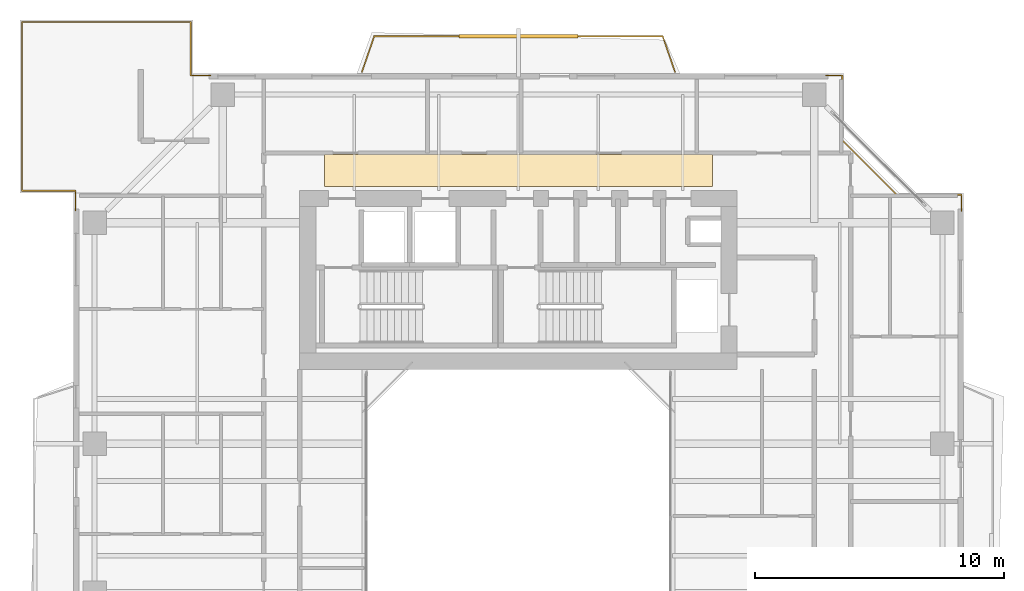
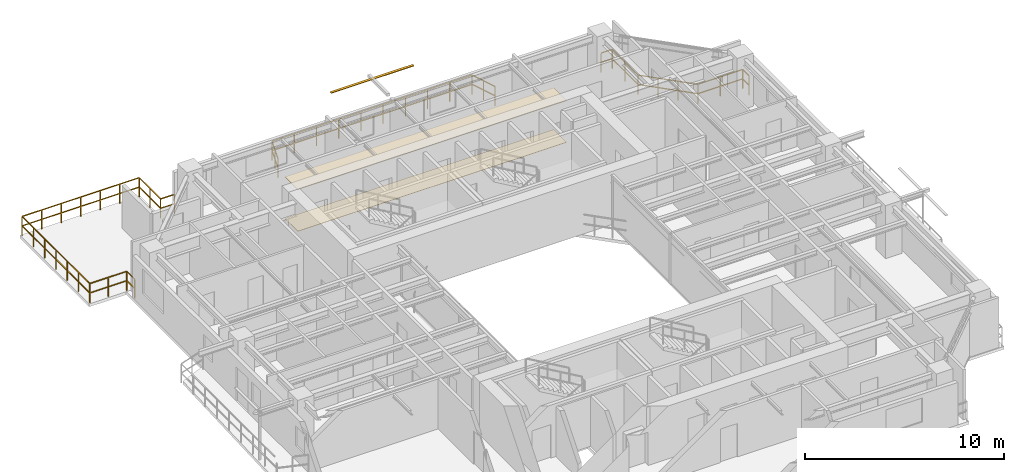
# One storey, part 17 of 17: 3 railings, 2 coverings, 1 shading device.
"""IFC4 building model written with IfcOpenShell, lengths in metres."""

from ifc_helpers import new_model, si_unit, direction, frame, origin, origin_2d, place, context, subcontext, project, spatial, polyline, rectangle, outline, extrude, source, transform, mapped, material, layer, layer_set, material_profile, profile_set, type_object, element, save


model = new_model("IFC4")

# Units and contexts
model_context = context("Model", 3, precision=1e-05, world=origin(), true_north=direction((0.0, 1.0)))
body_context = subcontext(model_context, "Body", "Model", "MODEL_VIEW")
ifc_project = project(units=[si_unit("LENGTHUNIT", "METRE"), si_unit("AREAUNIT", "SQUARE_METRE"), si_unit("VOLUMEUNIT", "CUBIC_METRE"), si_unit("PLANEANGLEUNIT", "RADIAN"), si_unit("MASSUNIT", "GRAM", prefix="KILO"), si_unit("THERMODYNAMICTEMPERATUREUNIT", "KELVIN"), si_unit("POWERUNIT", "WATT")], contexts=[model_context])

# Site, building, storey
site_placement = place(None, origin())
site = spatial("IfcSite", under=ifc_project, at=site_placement, CompositionType="ELEMENT")
building_placement = place(site_placement, origin())
building = spatial("IfcBuilding", under=site, at=building_placement, Name="Qiaomeng Ring Towers", CompositionType="ELEMENT")
storey_placement = place(building_placement, frame((0.0, 0.0, 143.75)))
storey = spatial("IfcBuildingStorey", under=building, at=storey_placement, Name="L41", CompositionType="ELEMENT", Elevation=143.75)

# Coverings
ifc_material_1 = material(Name="Moisture-resistant gypsum ceiling board", Category="gypsum")
ifc_layer_1 = layer(ifc_material_1, 0.030029296875, Name="Moisture-resistant gypsum ceiling board")
ifc_layer_set_1 = layer_set([ifc_layer_1], Name="Moisture-resistant gypsum ceiling board")
covering_type_1 = type_object("IfcCoveringType", Name="ARC-COV-CEIL2", PredefinedType="CEILING", material=ifc_layer_set_1)
covering_1_placement = place(storey_placement, frame((0.0, 0.0, 2.550048828125)))
element("IfcCovering", 1, at=covering_1_placement, inside=storey, type_object=covering_type_1, Name="L41 Corridor Acoustic Ceiling", PredefinedType="CEILING", context=body_context, shape_type="SweptSolid", body=[
    extrude(outline(polyline([(11.199951171875, 36.35009765625), (11.199951171875, 37.64990234375), (26.800048828125, 37.64990234375), (26.800048828125, 36.35009765625), (11.199951171875, 36.35009765625)])), origin(), (0.0, 0.0, 1.0), 0.02490234375),
])
ifc_material_2 = material(Name="Vitrified porcelain floor tile", Category="ceramic")
ifc_layer_2 = layer(ifc_material_2, 0.02001953125, Name="Vitrified porcelain floor tile")
ifc_layer_set_2 = layer_set([ifc_layer_2], Name="Vitrified porcelain floor tile")
covering_type_2 = type_object("IfcCoveringType", Name="ARC-COV-FLR1", PredefinedType="FLOORING", material=ifc_layer_set_2)
covering_2_placement = place(storey_placement, origin())
element("IfcCovering", 2, at=covering_2_placement, inside=storey, type_object=covering_type_2, Name="L41 Corridor Stone Flooring", PredefinedType="FLOORING", context=body_context, shape_type="SweptSolid", body=[
    extrude(outline(polyline([(11.199951171875, 36.35009765625), (11.199951171875, 37.64990234375), (26.800048828125, 37.64990234375), (26.800048828125, 36.35009765625), (11.199951171875, 36.35009765625)])), origin(), (0.0, 0.0, 1.0), 0.02001953125),
])

# Railings
ifc_material_3 = material(Name="Low-E pale-green laminated safety glass", Category="glass")
railing_type = type_object("IfcRailingType", Name="ARC-RL-BAL1", PredefinedType="BALUSTRADE", material=ifc_material_3)
railing_1_placement = place(storey_placement, frame((36.820068359375, 35.3701171875, 0.0)))
element("IfcRailing", 3, at=railing_1_placement, inside=storey, type_object=railing_type, Name="L41 Balustrade ARC-BAL-NOTCH1-L41-NE", PredefinedType="BALUSTRADE", context=body_context, shape_type="SweptSolid", body=[
    extrude(rectangle(XDim=0.048095703125, YDim=0.048095703125, at=origin_2d()), frame((0.0, 0.0, 1.17578125), z_axis=(0.0, 1.0, 0.0), x_axis=(-1.0, 0.0, 0.0)), (0.0, 0.0, 1.0), 0.64990234375),
    extrude(rectangle(XDim=0.048095703125, YDim=0.048095703125, at=origin_2d()), frame((0.0, 0.0, 0.60009765625), z_axis=(0.0, 1.0, 0.0), x_axis=(-1.0, 0.0, 0.0)), (0.0, 0.0, 1.0), 0.64990234375),
    extrude(rectangle(XDim=0.048095703125, YDim=0.048095703125, at=origin_2d()), frame((0.0, 0.64990234375, 1.17578125), z_axis=(-1.0, 0.0, 0.0), x_axis=(0.0, -1.0, 0.0)), (0.0, 0.0, 1.0), 2.60009765625),
    extrude(rectangle(XDim=0.048095703125, YDim=0.048095703125, at=origin_2d()), frame((0.0, 0.64990234375, 0.60009765625), z_axis=(-1.0, 0.0, 0.0), x_axis=(0.0, -1.0, 0.0)), (0.0, 0.0, 1.0), 2.60009765625),
    extrude(rectangle(XDim=0.048095703125, YDim=0.048095703125, at=origin_2d()), frame((-2.60009765625, 0.64990234375, 1.17578125), z_axis=(-0.707106781187, 0.707106781187, 0.0), x_axis=(-0.707106781187, -0.707106781187, 0.0)), (0.0, 0.0, 1.0), 3.111083984375),
    extrude(rectangle(XDim=0.048095703125, YDim=0.048095703125, at=origin_2d()), frame((-2.60009765625, 0.64990234375, 0.60009765625), z_axis=(-0.707106781187, 0.707106781187, 0.0), x_axis=(-0.707106781187, -0.707106781187, 0.0)), (0.0, 0.0, 1.0), 3.111083984375),
    extrude(rectangle(XDim=0.048095703125, YDim=0.048095703125, at=origin_2d()), frame((-4.800048828125, 2.849853515625, 1.17578125), z_axis=(0.0, 1.0, 0.0), x_axis=(-1.0, 0.0, 0.0)), (0.0, 0.0, 1.0), 2.60009765625),
    extrude(rectangle(XDim=0.048095703125, YDim=0.048095703125, at=origin_2d()), frame((-4.800048828125, 2.849853515625, 0.60009765625), z_axis=(0.0, 1.0, 0.0), x_axis=(-1.0, 0.0, 0.0)), (0.0, 0.0, 1.0), 2.60009765625),
    extrude(rectangle(XDim=0.048095703125, YDim=0.048095703125, at=origin_2d()), frame((-4.800048828125, 5.449951171875, 1.17578125), z_axis=(-1.0, 0.0, 0.0), x_axis=(0.0, -1.0, 0.0)), (0.0, 0.0, 1.0), 0.64990234375),
    extrude(rectangle(XDim=0.048095703125, YDim=0.048095703125, at=origin_2d()), frame((-4.800048828125, 5.449951171875, 0.60009765625), z_axis=(-1.0, 0.0, 0.0), x_axis=(0.0, -1.0, 0.0)), (0.0, 0.0, 1.0), 0.64990234375),
    extrude(rectangle(XDim=0.0419921875, YDim=0.0419921875, at=origin_2d()), origin(), (0.0, 0.0, 1.0), 1.15185546875),
    extrude(rectangle(XDim=0.0419921875, YDim=0.0419921875, at=origin_2d()), frame((0.0, 0.64990234375, 0.0)), (0.0, 0.0, 1.0), 1.15185546875),
    extrude(rectangle(XDim=0.0419921875, YDim=0.0419921875, at=origin_2d()), frame((-1.300048828125, 0.64990234375, 0.0)), (0.0, 0.0, 1.0), 1.15185546875),
    extrude(rectangle(XDim=0.0419921875, YDim=0.0419921875, at=origin_2d()), frame((-2.60009765625, 0.64990234375, 0.0)), (0.0, 0.0, 1.0), 1.15185546875),
    extrude(rectangle(XDim=0.0419921875, YDim=0.0419921875, at=origin_2d()), frame((-3.33349609375, 1.38330078125, 0.0)), (0.0, 0.0, 1.0), 1.15185546875),
    extrude(rectangle(XDim=0.0419921875, YDim=0.0419921875, at=origin_2d()), frame((-4.066650390625, 2.116455078125, 0.0)), (0.0, 0.0, 1.0), 1.15185546875),
    extrude(rectangle(XDim=0.0419921875, YDim=0.0419921875, at=origin_2d()), frame((-4.800048828125, 2.849853515625, 0.0)), (0.0, 0.0, 1.0), 1.15185546875),
    extrude(rectangle(XDim=0.0419921875, YDim=0.0419921875, at=origin_2d()), frame((-4.800048828125, 4.14990234375, 0.0)), (0.0, 0.0, 1.0), 1.15185546875),
    extrude(rectangle(XDim=0.0419921875, YDim=0.0419921875, at=origin_2d()), frame((-4.800048828125, 5.449951171875, 0.0)), (0.0, 0.0, 1.0), 1.15185546875),
    extrude(rectangle(XDim=0.0419921875, YDim=0.0419921875, at=origin_2d()), frame((-5.449951171875, 5.449951171875, 0.0)), (0.0, 0.0, 1.0), 1.15185546875),
])
railing_2_placement = place(storey_placement, frame((6.6201171875, 40.820068359375, 0.0)))
element("IfcRailing", 4, at=railing_2_placement, inside=storey, type_object=railing_type, Name="L41 Balustrade ARC-BAL-L41-SPIRAL-NW", PredefinedType="BALUSTRADE", context=body_context, shape_type="SweptSolid", body=[
    extrude(rectangle(XDim=0.048095703125, YDim=0.048095703125, at=origin_2d()), frame((0.0, 0.0, 1.17578125), z_axis=(-1.0, 0.0, 0.0), x_axis=(0.0, -1.0, 0.0)), (0.0, 0.0, 1.0), 0.800048828125),
    extrude(rectangle(XDim=0.048095703125, YDim=0.048095703125, at=origin_2d()), frame((0.0, 0.0, 0.60009765625), z_axis=(-1.0, 0.0, 0.0), x_axis=(0.0, -1.0, 0.0)), (0.0, 0.0, 1.0), 0.800048828125),
    extrude(rectangle(XDim=0.048095703125, YDim=0.048095703125, at=origin_2d()), frame((-0.800048828125, 0.0, 1.17578125), z_axis=(0.0, 1.0, 0.0), x_axis=(-1.0, 0.0, 0.0)), (0.0, 0.0, 1.0), 2.14990234375),
    extrude(rectangle(XDim=0.048095703125, YDim=0.048095703125, at=origin_2d()), frame((-0.800048828125, 0.0, 0.60009765625), z_axis=(0.0, 1.0, 0.0), x_axis=(-1.0, 0.0, 0.0)), (0.0, 0.0, 1.0), 2.14990234375),
    extrude(rectangle(XDim=0.048095703125, YDim=0.048095703125, at=origin_2d()), frame((-0.800048828125, 2.14990234375, 1.17578125), z_axis=(-1.0, 0.0, 0.0), x_axis=(0.0, -1.0, 0.0)), (0.0, 0.0, 1.0), 6.7900390625),
    extrude(rectangle(XDim=0.048095703125, YDim=0.048095703125, at=origin_2d()), frame((-0.800048828125, 2.14990234375, 0.60009765625), z_axis=(-1.0, 0.0, 0.0), x_axis=(0.0, -1.0, 0.0)), (0.0, 0.0, 1.0), 6.7900390625),
    extrude(rectangle(XDim=0.048095703125, YDim=0.048095703125, at=origin_2d()), frame((-7.590087890625, 2.14990234375, 1.17578125), z_axis=(0.0, -1.0, 0.0), x_axis=(1.0, 0.0, 0.0)), (0.0, 0.0, 1.0), 6.7900390625),
    extrude(rectangle(XDim=0.048095703125, YDim=0.048095703125, at=origin_2d()), frame((-7.590087890625, 2.14990234375, 0.60009765625), z_axis=(0.0, -1.0, 0.0), x_axis=(1.0, 0.0, 0.0)), (0.0, 0.0, 1.0), 6.7900390625),
    extrude(rectangle(XDim=0.048095703125, YDim=0.048095703125, at=origin_2d()), frame((-7.590087890625, -4.64013671875, 1.17578125), z_axis=(1.0, 0.0, 0.0), x_axis=(0.0, 1.0, 0.0)), (0.0, 0.0, 1.0), 2.14990234375),
    extrude(rectangle(XDim=0.048095703125, YDim=0.048095703125, at=origin_2d()), frame((-7.590087890625, -4.64013671875, 0.60009765625), z_axis=(1.0, 0.0, 0.0), x_axis=(0.0, 1.0, 0.0)), (0.0, 0.0, 1.0), 2.14990234375),
    extrude(rectangle(XDim=0.048095703125, YDim=0.048095703125, at=origin_2d()), frame((-5.440185546875, -4.64013671875, 1.17578125), z_axis=(0.0, -1.0, 0.0), x_axis=(1.0, 0.0, 0.0)), (0.0, 0.0, 1.0), 0.800048828125),
    extrude(rectangle(XDim=0.048095703125, YDim=0.048095703125, at=origin_2d()), frame((-5.440185546875, -4.64013671875, 0.60009765625), z_axis=(0.0, -1.0, 0.0), x_axis=(1.0, 0.0, 0.0)), (0.0, 0.0, 1.0), 0.800048828125),
    extrude(rectangle(XDim=0.0419921875, YDim=0.0419921875, at=origin_2d()), origin(), (0.0, 0.0, 1.0), 1.15185546875),
    extrude(rectangle(XDim=0.0419921875, YDim=0.0419921875, at=origin_2d()), frame((-0.800048828125, 0.0, 0.0)), (0.0, 0.0, 1.0), 1.15185546875),
    extrude(rectangle(XDim=0.0419921875, YDim=0.0419921875, at=origin_2d()), frame((-0.800048828125, 1.074951171875, 0.0)), (0.0, 0.0, 1.0), 1.15185546875),
    extrude(rectangle(XDim=0.0419921875, YDim=0.0419921875, at=origin_2d()), frame((-0.800048828125, 2.14990234375, 0.0)), (0.0, 0.0, 1.0), 1.15185546875),
    extrude(rectangle(XDim=0.0419921875, YDim=0.0419921875, at=origin_2d()), frame((-1.931640625, 2.14990234375, 0.0)), (0.0, 0.0, 1.0), 1.15185546875),
    extrude(rectangle(XDim=0.0419921875, YDim=0.0419921875, at=origin_2d()), frame((-3.0634765625, 2.14990234375, 0.0)), (0.0, 0.0, 1.0), 1.15185546875),
    extrude(rectangle(XDim=0.0419921875, YDim=0.0419921875, at=origin_2d()), frame((-4.195068359375, 2.14990234375, 0.0)), (0.0, 0.0, 1.0), 1.15185546875),
    extrude(rectangle(XDim=0.0419921875, YDim=0.0419921875, at=origin_2d()), frame((-5.32666015625, 2.14990234375, 0.0)), (0.0, 0.0, 1.0), 1.15185546875),
    extrude(rectangle(XDim=0.0419921875, YDim=0.0419921875, at=origin_2d()), frame((-6.45849609375, 2.14990234375, 0.0)), (0.0, 0.0, 1.0), 1.15185546875),
    extrude(rectangle(XDim=0.0419921875, YDim=0.0419921875, at=origin_2d()), frame((-7.590087890625, 2.14990234375, 0.0)), (0.0, 0.0, 1.0), 1.15185546875),
    extrude(rectangle(XDim=0.0419921875, YDim=0.0419921875, at=origin_2d()), frame((-7.590087890625, 1.018310546875, 0.0)), (0.0, 0.0, 1.0), 1.15185546875),
    extrude(rectangle(XDim=0.0419921875, YDim=0.0419921875, at=origin_2d()), frame((-7.590087890625, -0.113525390625, 0.0)), (0.0, 0.0, 1.0), 1.15185546875),
    extrude(rectangle(XDim=0.0419921875, YDim=0.0419921875, at=origin_2d()), frame((-7.590087890625, -1.2451171875, 0.0)), (0.0, 0.0, 1.0), 1.15185546875),
    extrude(rectangle(XDim=0.0419921875, YDim=0.0419921875, at=origin_2d()), frame((-7.590087890625, -2.376708984375, 0.0)), (0.0, 0.0, 1.0), 1.15185546875),
    extrude(rectangle(XDim=0.0419921875, YDim=0.0419921875, at=origin_2d()), frame((-7.590087890625, -3.508544921875, 0.0)), (0.0, 0.0, 1.0), 1.15185546875),
    extrude(rectangle(XDim=0.0419921875, YDim=0.0419921875, at=origin_2d()), frame((-7.590087890625, -4.64013671875, 0.0)), (0.0, 0.0, 1.0), 1.15185546875),
    extrude(rectangle(XDim=0.0419921875, YDim=0.0419921875, at=origin_2d()), frame((-6.51513671875, -4.64013671875, 0.0)), (0.0, 0.0, 1.0), 1.15185546875),
    extrude(rectangle(XDim=0.0419921875, YDim=0.0419921875, at=origin_2d()), frame((-5.440185546875, -4.64013671875, 0.0)), (0.0, 0.0, 1.0), 1.15185546875),
    extrude(rectangle(XDim=0.0419921875, YDim=0.0419921875, at=origin_2d()), frame((-5.440185546875, -5.440185546875, 0.0)), (0.0, 0.0, 1.0), 1.15185546875),
])
railing_3_placement = place(storey_placement, frame((12.699951171875, 40.949951171875, 0.0)))
element("IfcRailing", 5, at=railing_3_placement, inside=storey, type_object=railing_type, Name="L41 Balustrade ARC-BAL-L41-T1-N", PredefinedType="BALUSTRADE", context=body_context, shape_type="SweptSolid", body=[
    extrude(rectangle(XDim=0.048095703125, YDim=0.048095703125, at=origin_2d()), frame((0.0, 0.0, 1.17578125), z_axis=(0.326000494605, 0.945369598368, 0.0), x_axis=(-0.945369598368, 0.326000494605, 0.0)), (0.0, 0.0, 1.0), 1.53369140625),
    extrude(rectangle(XDim=0.048095703125, YDim=0.048095703125, at=origin_2d()), frame((0.0, 0.0, 0.60009765625), z_axis=(0.326000494605, 0.945369598368, 0.0), x_axis=(-0.945369598368, 0.326000494605, 0.0)), (0.0, 0.0, 1.0), 1.53369140625),
    extrude(rectangle(XDim=0.048095703125, YDim=0.048095703125, at=origin_2d()), frame((0.5, 1.449951171875, 1.17578125), z_axis=(1.0, 0.0, 0.0), x_axis=(0.0, 1.0, 0.0)), (0.0, 0.0, 1.0), 11.60009765625),
    extrude(rectangle(XDim=0.048095703125, YDim=0.048095703125, at=origin_2d()), frame((0.5, 1.449951171875, 0.60009765625), z_axis=(1.0, 0.0, 0.0), x_axis=(0.0, 1.0, 0.0)), (0.0, 0.0, 1.0), 11.60009765625),
    extrude(rectangle(XDim=0.048095703125, YDim=0.048095703125, at=origin_2d()), frame((12.10009765625, 1.449951171875, 1.17578125), z_axis=(0.326000494605, -0.945369598368, 0.0), x_axis=(0.945369598368, 0.326000494605, 0.0)), (0.0, 0.0, 1.0), 1.53369140625),
    extrude(rectangle(XDim=0.048095703125, YDim=0.048095703125, at=origin_2d()), frame((12.10009765625, 1.449951171875, 0.60009765625), z_axis=(0.326000494605, -0.945369598368, 0.0), x_axis=(0.945369598368, 0.326000494605, 0.0)), (0.0, 0.0, 1.0), 1.53369140625),
    extrude(rectangle(XDim=0.0419921875, YDim=0.0419921875, at=origin_2d()), origin(), (0.0, 0.0, 1.0), 1.15185546875),
    extrude(rectangle(XDim=0.0419921875, YDim=0.0419921875, at=origin_2d()), frame((0.25, 0.72509765625, 0.0)), (0.0, 0.0, 1.0), 1.15185546875),
    extrude(rectangle(XDim=0.0419921875, YDim=0.0419921875, at=origin_2d()), frame((0.5, 1.449951171875, 0.0)), (0.0, 0.0, 1.0), 1.15185546875),
    extrude(rectangle(XDim=0.0419921875, YDim=0.0419921875, at=origin_2d()), frame((1.788818359375, 1.449951171875, 0.0)), (0.0, 0.0, 1.0), 1.15185546875),
    extrude(rectangle(XDim=0.0419921875, YDim=0.0419921875, at=origin_2d()), frame((3.077880859375, 1.449951171875, 0.0)), (0.0, 0.0, 1.0), 1.15185546875),
    extrude(rectangle(XDim=0.0419921875, YDim=0.0419921875, at=origin_2d()), frame((4.36669921875, 1.449951171875, 0.0)), (0.0, 0.0, 1.0), 1.15185546875),
    extrude(rectangle(XDim=0.0419921875, YDim=0.0419921875, at=origin_2d()), frame((5.655517578125, 1.449951171875, 0.0)), (0.0, 0.0, 1.0), 1.15185546875),
    extrude(rectangle(XDim=0.0419921875, YDim=0.0419921875, at=origin_2d()), frame((6.944580078125, 1.449951171875, 0.0)), (0.0, 0.0, 1.0), 1.15185546875),
    extrude(rectangle(XDim=0.0419921875, YDim=0.0419921875, at=origin_2d()), frame((8.2333984375, 1.449951171875, 0.0)), (0.0, 0.0, 1.0), 1.15185546875),
    extrude(rectangle(XDim=0.0419921875, YDim=0.0419921875, at=origin_2d()), frame((9.522216796875, 1.449951171875, 0.0)), (0.0, 0.0, 1.0), 1.15185546875),
    extrude(rectangle(XDim=0.0419921875, YDim=0.0419921875, at=origin_2d()), frame((10.811279296875, 1.449951171875, 0.0)), (0.0, 0.0, 1.0), 1.15185546875),
    extrude(rectangle(XDim=0.0419921875, YDim=0.0419921875, at=origin_2d()), frame((12.10009765625, 1.449951171875, 0.0)), (0.0, 0.0, 1.0), 1.15185546875),
    extrude(rectangle(XDim=0.0419921875, YDim=0.0419921875, at=origin_2d()), frame((12.35009765625, 0.72509765625, 0.0)), (0.0, 0.0, 1.0), 1.15185546875),
    extrude(rectangle(XDim=0.0419921875, YDim=0.0419921875, at=origin_2d()), frame((12.60009765625, 0.0, 0.0)), (0.0, 0.0, 1.0), 1.15185546875),
])

# Shading device
ifc_material_4 = material(Name="Fluorocarbon dark-grey aluminium", Category="aluminium")
ifc_material_profile = material_profile(ifc_material_4, rectangle(XDim=0.14990234375, YDim=0.034912109375, at=origin_2d()), Name="LV BLADE 150x35")
ifc_profile_set = profile_set([ifc_material_profile], Name="Fluorocarbon dark-grey aluminium")
shading_device_type = type_object("IfcShadingDeviceType", Name="ARC-SHD-SUN", PredefinedType="AWNING", material=ifc_profile_set)
shared_shape = source(origin(), body_context, "Body", "SweptSolid", [
    extrude(rectangle(XDim=0.14990234375, YDim=0.034912109375, at=origin_2d()), origin(), (0.0, 0.0, 1.0), 4.7998046875),
])
shading_device_placement = place(storey_placement, frame((16.60009765625, 42.39990234375, 2.969970703125), z_axis=(1.0, 0.0, 0.0), x_axis=(0.0, 1.0, 0.0)))
element("IfcShadingDevice", 6, at=shading_device_placement, inside=storey, type_object=shading_device_type, Name="L41 Ventilated Outer-Skin Sunshade N", PredefinedType="AWNING", context=body_context, shape_type="MappedRepresentation", body=[
    mapped(shared_shape, transform((0.0, 0.0, 0.0), x_axis=(1.0, 0.0, 0.0), y_axis=(0.0, 1.0, 0.0), z_axis=(0.0, 0.0, 1.0), scale=1.0)),
])

save(model, "model.ifc")
